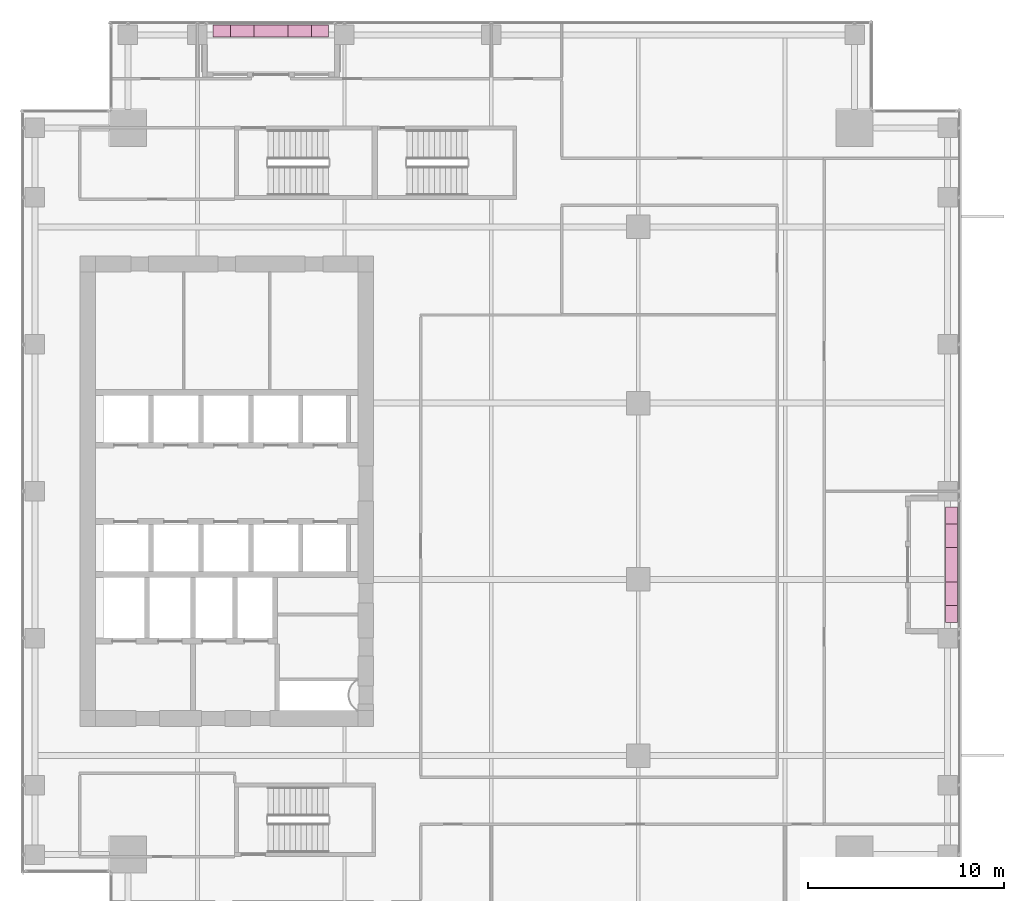
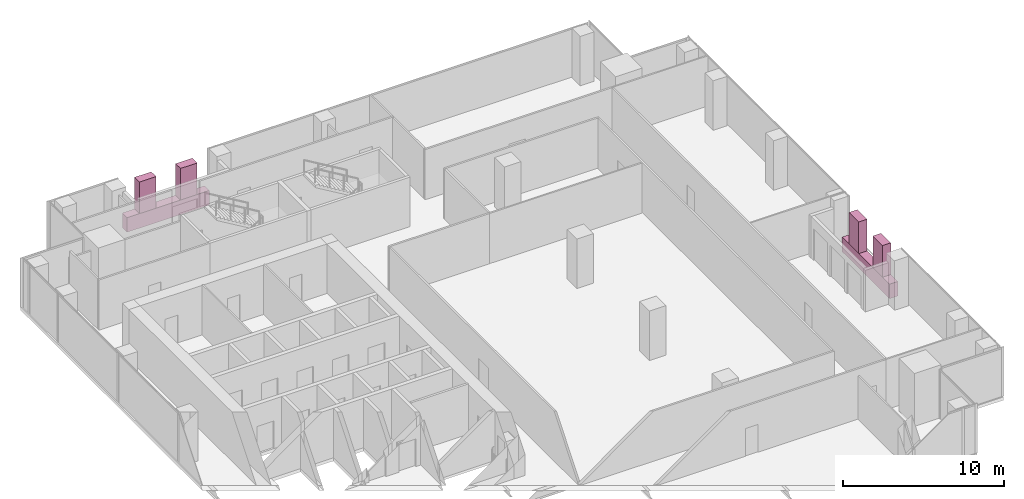
# One storey, part 40 of 40: 6 furnishings.
"""IFC4 building model written with IfcOpenShell, lengths in metres."""

from ifc_helpers import new_model, si_unit, direction, frame, origin, origin_2d, place, context, subcontext, project, spatial, rectangle, extrude, source, transform, mapped, material, type_object, element, save


model = new_model("IFC4")

# Units and contexts
model_context = context("Model", 3, precision=1e-05, world=origin(), true_north=direction((0.0, 1.0)))
body_context = subcontext(model_context, "Body", "Model", "MODEL_VIEW")
ifc_project = project(units=[si_unit("LENGTHUNIT", "METRE"), si_unit("AREAUNIT", "SQUARE_METRE"), si_unit("VOLUMEUNIT", "CUBIC_METRE"), si_unit("PLANEANGLEUNIT", "RADIAN"), si_unit("MASSUNIT", "GRAM", prefix="KILO")], contexts=[model_context])

# Site, building, storey
site_placement = place(None, origin())
site = spatial("IfcSite", under=ifc_project, at=site_placement, CompositionType="ELEMENT")
building_placement = place(site_placement, origin())
building = spatial("IfcBuilding", under=site, at=building_placement, Name="Khomas Fold Tower", CompositionType="ELEMENT")
storey_placement = place(building_placement, frame((0.0, 0.0, 204.699951171875)))
storey = spatial("IfcBuildingStorey", under=building, at=storey_placement, Name="L45", CompositionType="ELEMENT", Elevation=204.699951171875)

# Furnishings
ifc_material_1 = material(Name="Precast concrete C40/50", Category="concrete")
furnishing_element_type_1 = type_object("IfcFurnishingElementType", Name="BL-Structural planter box", material=ifc_material_1)
shared_shape_1 = source(origin(), body_context, "Body", "SweptSolid", [
    extrude(rectangle(XDim=5.89990234375, YDim=0.60009765625, at=origin_2d()), origin(), (0.0, 0.0, 1.0), 1.10009765625),
])
for number, where, z_axis, x_axis, name in (
    (1, (50.5, 23.25, -0.044921875), (0.0, 0.0, 1.0), (0.0, 1.0, 0.0), "PLANTER BAL-L45-E2"),
    (2, (15.75, 50.5, -0.044921875), (0.0, 0.0, 1.0), (1.0, 0.0, 0.0), "PLANTER BAL-L45-N1"),
):
    element("IfcFurnishingElement", number, at=place(storey_placement, frame(where, z_axis=z_axis, x_axis=x_axis)), inside=storey, type_object=furnishing_element_type_1, Name=name, context=body_context, shape_type="MappedRepresentation", body=[
        mapped(shared_shape_1, transform((0.0, 0.0, 0.0))),
    ])
ifc_material_2 = material(Name="Planting")
furnishing_element_type_2 = type_object("IfcFurnishingElementType", Name="BL-Tree Shepherd's tree", material=ifc_material_2)
shared_shape_2 = source(origin(), body_context, "Body", "SweptSolid", [
    extrude(rectangle(XDim=1.199951171875, YDim=0.60009765625, at=origin_2d()), origin(), (0.0, 0.0, 1.0), 2.39501953125),
])
furnishing_1_placement = place(storey_placement, frame((50.5, 21.77490234375, 1.054931640625), z_axis=(0.0, 0.0, 1.0), x_axis=(0.0, 1.0, 0.0)))
element("IfcFurnishingElement", 3, at=furnishing_1_placement, inside=storey, type_object=furnishing_element_type_2, Name="PLANTER (TREE) Shepherd's tree BAL-L45-E2-1", context=body_context, shape_type="MappedRepresentation", body=[
    mapped(shared_shape_2, transform((0.0, 0.0, 0.0))),
])
ifc_material_3 = material(Name="Planting")
furnishing_element_type_3 = type_object("IfcFurnishingElementType", Name="BL-Tree Karee", material=ifc_material_3)
for number, where, z_axis, x_axis, name in (
    (4, (50.5, 24.72509765625, 1.054931640625), (0.0, 0.0, 1.0), (0.0, 1.0, 0.0), "PLANTER (TREE) Karee BAL-L45-E2-2"),
    (5, (14.27490234375, 50.5, 1.054931640625), (0.0, 0.0, 1.0), (1.0, 0.0, 0.0), "PLANTER (TREE) Karee BAL-L45-N1-1"),
):
    element("IfcFurnishingElement", number, at=place(storey_placement, frame(where, z_axis=z_axis, x_axis=x_axis)), inside=storey, type_object=furnishing_element_type_3, Name=name, context=body_context, shape_type="MappedRepresentation", body=[
        mapped(shared_shape_2, transform((0.0, 0.0, 0.0))),
    ])
ifc_material_4 = material(Name="Planting")
furnishing_element_type_4 = type_object("IfcFurnishingElementType", Name="BL-Tree Wild olive", material=ifc_material_4)
furnishing_2_placement = place(storey_placement, frame((17.22509765625, 50.5, 1.054931640625), z_axis=(0.0, 0.0, 1.0), x_axis=(1.0, 0.0, 0.0)))
element("IfcFurnishingElement", 6, at=furnishing_2_placement, inside=storey, type_object=furnishing_element_type_4, Name="PLANTER (TREE) Wild olive BAL-L45-N1-2", context=body_context, shape_type="MappedRepresentation", body=[
    mapped(shared_shape_2, transform((0.0, 0.0, 0.0))),
])

save(model, "model.ifc")
